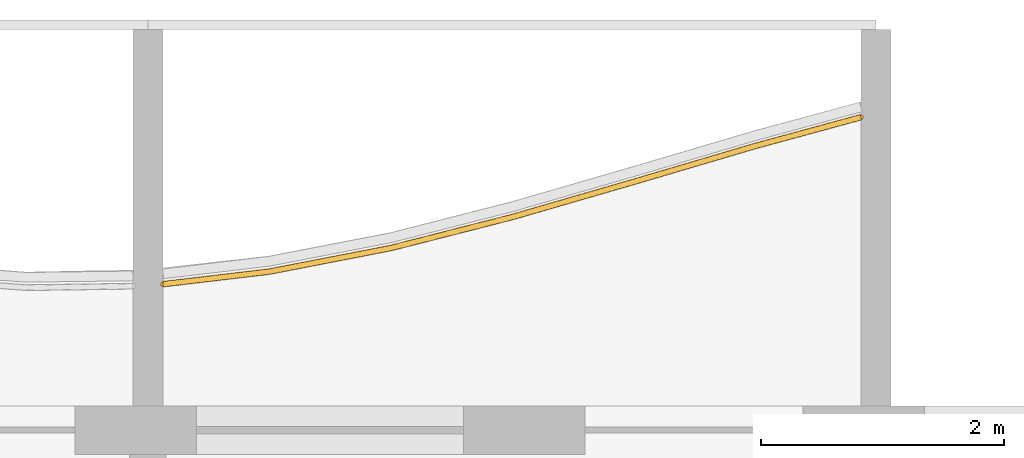
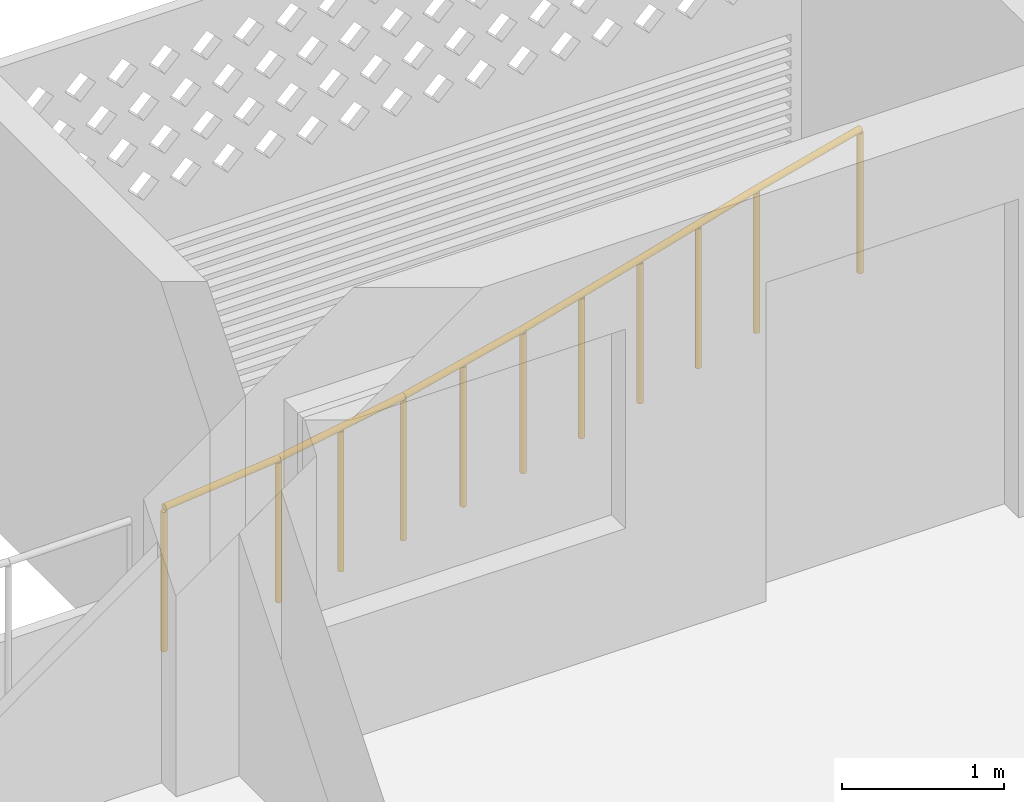
# One storey, part 18 of 31: 1 railing.
"""IFC4 building model written with IfcOpenShell, lengths in metres."""

from ifc_helpers import new_model, si_unit, direction, frame, origin, origin_2d, place, context, subcontext, project, spatial, circle, extrude, material, type_object, element, save


model = new_model("IFC4")

# Units and contexts
model_context = context("Model", 3, precision=1e-05, world=origin(), true_north=direction((0.0, 1.0)))
body_context = subcontext(model_context, "Body", "Model", "MODEL_VIEW")
ifc_project = project(units=[si_unit("LENGTHUNIT", "METRE"), si_unit("AREAUNIT", "SQUARE_METRE"), si_unit("VOLUMEUNIT", "CUBIC_METRE"), si_unit("PLANEANGLEUNIT", "RADIAN"), si_unit("MASSUNIT", "GRAM", prefix="KILO")], contexts=[model_context])

# Site, building, storey
site_placement = place(None, origin())
site = spatial("IfcSite", under=ifc_project, at=site_placement, CompositionType="ELEMENT")
building_placement = place(site_placement, origin())
building = spatial("IfcBuilding", under=site, at=building_placement, Name="Poui Terraces", CompositionType="ELEMENT")
storey_placement = place(building_placement, frame((0.0, 0.0, 148.800048828125)))
storey = spatial("IfcBuildingStorey", under=building, at=storey_placement, Name="L41", CompositionType="ELEMENT", Elevation=148.800048828125)

# Railing
ifc_material = material(Name="Painted steel fretwork", Category="steel")
railing_type = type_object("IfcRailingType", Name="BALCONY GUARD 1100", PredefinedType="GUARDRAIL", material=ifc_material)
railing_placement = place(storey_placement, frame((24.125, 43.60302734375, 0.0)))
element("IfcRailing", 1, at=railing_placement, inside=storey, type_object=railing_type, Name="BALCONY GUARD", PredefinedType="GUARDRAIL", context=body_context, shape_type="SweptSolid", body=[
    extrude(circle(Radius=0.02392578125, at=origin_2d()), frame((0.0, 0.0, 1.076171875), z_axis=(0.993074741363, 0.117484288599, 0.0), x_axis=(-0.117484288599, 0.993074741363, 0.0)), (0.0, 0.0, 1.0), 0.881103515625),
    extrude(circle(Radius=0.02392578125, at=origin_2d()), frame((0.875, 0.103515625, 1.076171875), z_axis=(0.981724998512, 0.190305090044, 0.0), x_axis=(-0.190305090044, 0.981724998512, 0.0)), (0.0, 0.0, 1.0), 1.0185546875),
    extrude(circle(Radius=0.02392578125, at=origin_2d()), frame((1.875, 0.29736328125, 1.076171875), z_axis=(0.968962333186, 0.247208407759, 0.0), x_axis=(-0.247208407759, 0.968962333186, 0.0)), (0.0, 0.0, 1.0), 1.031982421875),
    extrude(circle(Radius=0.02392578125, at=origin_2d()), frame((2.875, 0.552490234375, 1.076171875), z_axis=(0.960481812677, 0.278342751867, 0.0), x_axis=(-0.278342751867, 0.960481812677, 0.0)), (0.0, 0.0, 1.0), 1.041259765625),
    extrude(circle(Radius=0.02392578125, at=origin_2d()), frame((3.875, 0.84228515625, 1.076171875), z_axis=(0.959092870386, 0.283091621166, 0.0), x_axis=(-0.283091621166, 0.959092870386, 0.0)), (0.0, 0.0, 1.0), 1.042724609375),
    extrude(circle(Radius=0.02392578125, at=origin_2d()), frame((4.875, 1.137451171875, 1.076171875), z_axis=(0.964863154502, 0.26275291261, 0.0), x_axis=(-0.26275291261, 0.964863154502, 0.0)), (0.0, 0.0, 1.0), 0.906982421875),
    extrude(circle(Radius=0.02099609375, at=origin_2d()), origin(), (0.0, 0.0, 1.0), 1.052001953125),
    extrude(circle(Radius=0.02099609375, at=origin_2d()), frame((0.875, 0.103515625, 0.0)), (0.0, 0.0, 1.0), 1.052001953125),
    extrude(circle(Radius=0.02099609375, at=origin_2d()), frame((1.375, 0.200439453125, 0.0)), (0.0, 0.0, 1.0), 1.052001953125),
    extrude(circle(Radius=0.02099609375, at=origin_2d()), frame((1.875, 0.29736328125, 0.0)), (0.0, 0.0, 1.0), 1.052001953125),
    extrude(circle(Radius=0.02099609375, at=origin_2d()), frame((2.375, 0.4248046875, 0.0)), (0.0, 0.0, 1.0), 1.052001953125),
    extrude(circle(Radius=0.02099609375, at=origin_2d()), frame((2.875, 0.552490234375, 0.0)), (0.0, 0.0, 1.0), 1.052001953125),
    extrude(circle(Radius=0.02099609375, at=origin_2d()), frame((3.375, 0.697265625, 0.0)), (0.0, 0.0, 1.0), 1.052001953125),
    extrude(circle(Radius=0.02099609375, at=origin_2d()), frame((3.875, 0.84228515625, 0.0)), (0.0, 0.0, 1.0), 1.052001953125),
    extrude(circle(Radius=0.02099609375, at=origin_2d()), frame((4.375, 0.98974609375, 0.0)), (0.0, 0.0, 1.0), 1.052001953125),
    extrude(circle(Radius=0.02099609375, at=origin_2d()), frame((4.875, 1.137451171875, 0.0)), (0.0, 0.0, 1.0), 1.052001953125),
    extrude(circle(Radius=0.02099609375, at=origin_2d()), frame((5.75, 1.375732421875, 0.0)), (0.0, 0.0, 1.0), 1.052001953125),
])

save(model, "model.ifc")
